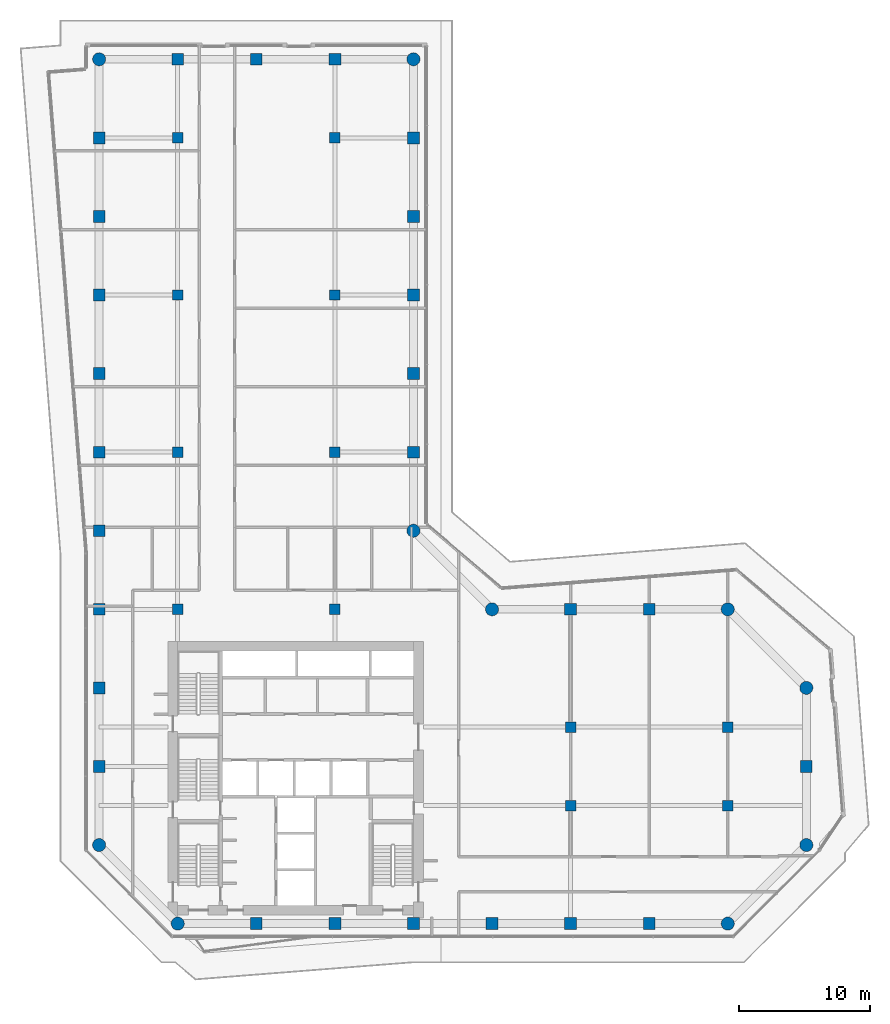
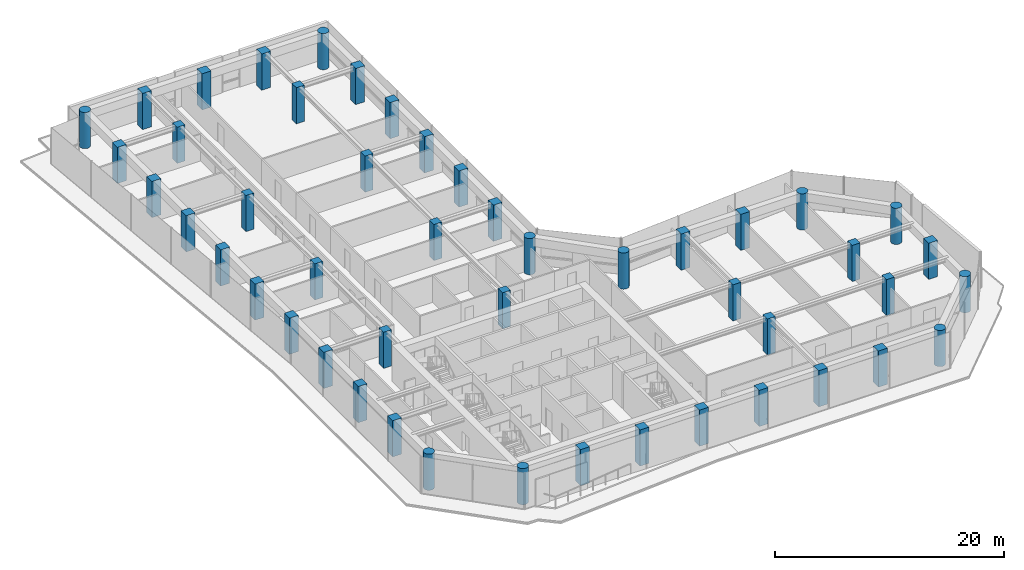
# One storey, part 1 of 25: 48 columns.
"""IFC4 building model written with IfcOpenShell, lengths in metres."""

import ifcopenshell
import ifcopenshell.guid

model = None  # the IFC model being written
_history = None  # IfcOwnerHistory: only IFC2X3 demands one
_inside = {}  # id of a spatial element -> (the spatial element, [elements in it])
_under = {}  # id of a project, library or spatial element -> (it, [spatial elements below it])
_declared = {}  # id of a project -> (the project, [libraries it declares])
_typed = {}  # id of a type object -> (the type object, [elements of that type])
_made_of = {}  # id of a material, layer set ... -> (it, [elements and type objects made of it])


def new_model(schema):
    """Start an empty IFC model of exactly this schema.

    Asked for "IFC4X3", IfcOpenShell would pick the latest addendum, in which some entities
    have other attributes; the version numbers below select the first issue.
    IFC2X3 requires an IfcOwnerHistory on every rooted entity: one is made here for all.
    """
    global model, _history
    if schema == "IFC4X3":
        model = ifcopenshell.file(schema_version=(4, 3, 0, 0))
    else:
        model = ifcopenshell.file(schema=schema)
    _inside.clear()
    _under.clear()
    _declared.clear()
    _typed.clear()
    _made_of.clear()
    _history = None
    if model.schema == "IFC2X3":
        org = make("IfcOrganization", Name="unknown")
        user = make(
            "IfcPersonAndOrganization",
            ThePerson=make("IfcPerson", FamilyName="unknown"),
            TheOrganization=org,
        )
        app = make(
            "IfcApplication",
            ApplicationDeveloper=org,
            Version="unknown",
            ApplicationFullName="unknown",
            ApplicationIdentifier="unknown",
        )
        _history = make(
            "IfcOwnerHistory",
            OwningUser=user,
            OwningApplication=app,
            ChangeAction="ADDED",
            CreationDate=0,
        )
    return model


def make(cls, **values):
    """One entity of the class cls with the attributes given. An attribute that is None is left unset."""
    return model.create_entity(
        cls, **{name: value for name, value in values.items() if value is not None}
    )


def rooted(cls, **values):
    """An entity with a GlobalId (a new one), such as an element, a storey or a relation."""
    return make(cls, GlobalId=ifcopenshell.guid.new(), OwnerHistory=_history, **values)


def si_unit(unit_type, name, prefix=None):
    """IfcSIUnit, for example si_unit("LENGTHUNIT", "METRE", prefix="MILLI")."""
    return make("IfcSIUnit", UnitType=unit_type, Prefix=prefix, Name=name)


def assignment(units):
    """IfcUnitAssignment: the units of a project."""
    return None if units is None else make("IfcUnitAssignment", Units=units)


def point(xyz):
    """IfcCartesianPoint."""
    return None if xyz is None else make("IfcCartesianPoint", Coordinates=xyz)


def direction(xyz):
    """IfcDirection."""
    return None if xyz is None else make("IfcDirection", DirectionRatios=xyz)


def frame(location, z_axis=None, x_axis=None):
    """IfcAxis2Placement3D, a coordinate frame: its origin and axes. An axis left out is left unset."""
    return make(
        "IfcAxis2Placement3D",
        Location=point(location),
        Axis=direction(z_axis),
        RefDirection=direction(x_axis),
    )


def frame_2d(location, x_axis=None):
    """IfcAxis2Placement2D, a coordinate frame in the plane: its origin and x axis."""
    return make(
        "IfcAxis2Placement2D", Location=point(location), RefDirection=direction(x_axis)
    )


def origin():
    """The frame at (0, 0, 0) with its axes left unset."""
    return frame((0.0, 0.0, 0.0))


def origin_2d():
    """The frame at (0, 0) in the plane with its x axis left unset."""
    return frame_2d((0.0, 0.0))


def place(relative_to, where):
    """IfcLocalPlacement: puts the frame where relative to a parent placement (None: the world)."""
    return make(
        "IfcLocalPlacement", PlacementRelTo=relative_to, RelativePlacement=where
    )


def context(
    kind, dimensions, precision=None, world=None, true_north=None, identifier=None
):
    """IfcGeometricRepresentationContext, for example the 3D "Model" context."""
    return make(
        "IfcGeometricRepresentationContext",
        ContextIdentifier=identifier,
        ContextType=kind,
        CoordinateSpaceDimension=dimensions,
        Precision=precision,
        WorldCoordinateSystem=world,
        TrueNorth=true_north,
    )


def subcontext(parent, identifier, kind, view, scale=None):
    """IfcGeometricRepresentationSubContext, for example "Body" below "Model"."""
    return make(
        "IfcGeometricRepresentationSubContext",
        ContextIdentifier=identifier,
        ContextType=kind,
        ParentContext=parent,
        TargetScale=scale,
        TargetView=view,
    )


def project(units=None, contexts=None):
    """IfcProject with its units and contexts."""
    return rooted(
        "IfcProject",
        Name="project",
        RepresentationContexts=contexts,
        UnitsInContext=assignment(units),
    )


def spatial(cls, under=None, at=None, **own):
    """A site, building, storey or space (cls), placed at a placement, below another one or the project."""
    s = rooted(cls, ObjectPlacement=at, **own)
    if under is not None:
        _under.setdefault(under.id(), (under, []))[1].append(s)
    return s


def profile(cls, at=None, kind="AREA", **sizes):
    """A parametric profile (cls). Its sizes go by their IFC names, for example OverallWidth=200.0."""
    return make(cls, ProfileType=kind, Position=at, **sizes)


def rectangle(**sizes):
    """IfcRectangleProfileDef."""
    return profile("IfcRectangleProfileDef", **sizes)


def circle(**sizes):
    """IfcCircleProfileDef."""
    return profile("IfcCircleProfileDef", **sizes)


def extrude(swept, where, along, depth):
    """IfcExtrudedAreaSolid: the profile swept, set in the frame where, extruded along a direction by depth."""
    return make(
        "IfcExtrudedAreaSolid",
        SweptArea=swept,
        Position=where,
        ExtrudedDirection=direction(along),
        Depth=depth,
    )


def shape(context_of_items, identifier, shape_type, items):
    """IfcShapeRepresentation: the items that make up one representation, for example the "Body"."""
    return make(
        "IfcShapeRepresentation",
        ContextOfItems=context_of_items,
        RepresentationIdentifier=identifier,
        RepresentationType=shape_type,
        Items=items,
    )


def material(Name=None, Category=None):
    """IfcMaterial."""
    return make("IfcMaterial", Name=Name, Category=Category)


def material_profile(
    of_material, cross_section, Name=None, Category=None, Priority=None
):
    """IfcMaterialProfile: a cross section and its material."""
    return make(
        "IfcMaterialProfile",
        Name=Name,
        Material=of_material,
        Profile=cross_section,
        Priority=Priority,
        Category=Category,
    )


def profile_set(profiles, Name=None, composite=None):
    """IfcMaterialProfileSet."""
    return make(
        "IfcMaterialProfileSet",
        Name=Name,
        MaterialProfiles=profiles,
        CompositeProfile=composite,
    )


def made_of(thing, what):
    """Note that an element or type object is made of a material, layer set ...; save() writes the relation."""
    if what is not None:
        _made_of.setdefault(what.id(), (what, []))[1].append(thing)
    return thing


def type_object(cls, material=None, **own):
    """A type object (cls), such as IfcWallType, which elements share."""
    return made_of(rooted(cls, **own), material)


def element(
    cls,
    number,
    at=None,
    inside=None,
    cuts=None,
    type_object=None,
    material=None,
    context=None,
    identifier="Body",
    shape_type=None,
    held_by="IfcProductDefinitionShape",
    body=None,
    shapes=None,
    **own,
):
    """One element of the class cls, such as IfcWall. Its Tag is "e" and its number.

    at: its placement. inside: the storey or other place that contains it. cuts: it is an
    opening in that element (IfcRelVoidsElement). A single representation is given by context,
    identifier, shape_type and body (its items); several are given by shapes. held_by: the class
    of the entity that holds the representations. save() writes the other relations.
    """
    e = rooted(cls, Tag="e%d" % number, ObjectPlacement=at, **own)
    if body is not None:
        shapes = [shape(context, identifier, shape_type, body)]
    if shapes is not None:
        e.Representation = make(held_by, Representations=shapes)
    if inside is not None:
        _inside.setdefault(inside.id(), (inside, []))[1].append(e)
    if cuts is not None:
        rooted(
            "IfcRelVoidsElement", RelatingBuildingElement=cuts, RelatedOpeningElement=e
        )
    if type_object is not None:
        _typed.setdefault(type_object.id(), (type_object, []))[1].append(e)
    return made_of(e, material)


def aggregate(whole, parts):
    """IfcRelAggregates: a whole, such as a stair, and the parts it consists of."""
    return rooted("IfcRelAggregates", RelatingObject=whole, RelatedObjects=parts)


def save(model, path):
    """Write the relations noted so far, then the file.

    IfcRelAggregates (storeys below a building ...), IfcRelContainedInSpatialStructure (elements
    in a storey), IfcRelDefinesByType, IfcRelAssociatesMaterial and IfcRelDeclares: one each for
    every whole, place, type object, material and project.
    """
    for whole, parts in _under.values():
        aggregate(whole, parts)
    for where, things in _inside.values():
        rooted(
            "IfcRelContainedInSpatialStructure",
            RelatedElements=things,
            RelatingStructure=where,
        )
    for kind, things in _typed.values():
        rooted("IfcRelDefinesByType", RelatedObjects=things, RelatingType=kind)
    for what, things in _made_of.values():
        rooted("IfcRelAssociatesMaterial", RelatedObjects=things, RelatingMaterial=what)
    for by, libraries in _declared.values():
        rooted("IfcRelDeclares", RelatingContext=by, RelatedDefinitions=libraries)
    model.write(path)


model = new_model("IFC4")

# Units and contexts
model_context = context("Model", 3, precision=1e-05, world=origin(), true_north=direction((0.0, 1.0)))
body_context = subcontext(model_context, "Body", "Model", "MODEL_VIEW")
ifc_project = project(units=[si_unit("LENGTHUNIT", "METRE"), si_unit("AREAUNIT", "SQUARE_METRE"), si_unit("VOLUMEUNIT", "CUBIC_METRE"), si_unit("PLANEANGLEUNIT", "RADIAN"), si_unit("MASSUNIT", "GRAM", prefix="KILO")], contexts=[model_context])

# Site, building, storey
site_placement = place(None, origin())
site = spatial("IfcSite", under=ifc_project, at=site_placement, CompositionType="ELEMENT")
building_placement = place(site_placement, origin())
building = spatial("IfcBuilding", under=site, at=building_placement, Name="Welwitschia Terrace Campus", CompositionType="ELEMENT")
storey_placement = place(building_placement, frame((0.0, 0.0, 92.0)))
storey = spatial("IfcBuildingStorey", under=building, at=storey_placement, Name="L20", CompositionType="ELEMENT", Elevation=92.0)

# Columns
ifc_material_1 = material(Name="Concrete C60/75", Category="concrete")
ifc_material_profile_1 = material_profile(ifc_material_1, circle(Radius=0.5, at=origin_2d()))
ifc_profile_set_1 = profile_set([ifc_material_profile_1], Name="Concrete C60/75")
column_type_1 = type_object("IfcColumnType", Name="Corner column 1000 dia", PredefinedType="COLUMN", material=ifc_profile_set_1)
for number, where, z_axis, x_axis, name in (
    (1, (0.0, 10.0, 0.0), (0.0, 0.0, 1.0), (1.0, 0.0, 0.0), "Column C15"),
    (2, (0.0, 70.0, 0.0), (0.0, 0.0, 1.0), (1.0, 0.0, 0.0), "Column C15"),
    (3, (6.0, 4.0, 0.0), (0.0, 0.0, 1.0), (1.0, 0.0, 0.0), "Column C15"),
    (4, (24.0, 34.0, 0.0), (0.0, 0.0, 1.0), (1.0, 0.0, 0.0), "Column C15"),
    (5, (24.0, 70.0, 0.0), (0.0, 0.0, 1.0), (1.0, 0.0, 0.0), "Column C15"),
    (6, (30.0, 28.0, 0.0), (0.0, 0.0, 1.0), (1.0, 0.0, 0.0), "Column C15"),
    (7, (48.0, 4.0, 0.0), (0.0, 0.0, 1.0), (1.0, 0.0, 0.0), "Column C15"),
    (8, (48.0, 28.0, 0.0), (0.0, 0.0, 1.0), (1.0, 0.0, 0.0), "Column C15"),
    (9, (54.0, 10.0, 0.0), (0.0, 0.0, 1.0), (1.0, 0.0, 0.0), "Column C15"),
    (10, (54.0, 22.0, 0.0), (0.0, 0.0, 1.0), (1.0, 0.0, 0.0), "Column C15"),
):
    element("IfcColumn", number, at=place(storey_placement, frame(where, z_axis=z_axis, x_axis=x_axis)), inside=storey, type_object=column_type_1, Name=name, PredefinedType="COLUMN", context=body_context, shape_type="SweptSolid", body=[
        extrude(circle(Radius=0.5, at=origin_2d()), origin(), (0.0, 0.0, 1.0), 3.85009765625),
    ])
ifc_material_2 = material(Name="Concrete C60/75", Category="concrete")
ifc_material_profile_2 = material_profile(ifc_material_2, rectangle(XDim=0.800048828125, YDim=0.800048828125, at=origin_2d()))
ifc_profile_set_2 = profile_set([ifc_material_profile_2], Name="Concrete C60/75")
column_type_2 = type_object("IfcColumnType", Name="Interior column 800x800", PredefinedType="COLUMN", material=ifc_profile_set_2)
for number, where, z_axis, x_axis, name in (
    (11, (6.0, 28.0, 0.0), (0.0, 0.0, 1.0), (1.0, 0.0, 0.0), "Column C16"),
    (12, (6.0, 40.0, 0.0), (0.0, 0.0, 1.0), (1.0, 0.0, 0.0), "Column C16"),
    (13, (6.0, 52.0, 0.0), (0.0, 0.0, 1.0), (1.0, 0.0, 0.0), "Column C16"),
    (14, (6.0, 64.0, 0.0), (0.0, 0.0, 1.0), (1.0, 0.0, 0.0), "Column C16"),
    (15, (18.0, 28.0, 0.0), (0.0, 0.0, 1.0), (1.0, 0.0, 0.0), "Column C16"),
    (16, (18.0, 40.0, 0.0), (0.0, 0.0, 1.0), (1.0, 0.0, 0.0), "Column C16"),
    (17, (18.0, 52.0, 0.0), (0.0, 0.0, 1.0), (1.0, 0.0, 0.0), "Column C16"),
    (18, (18.0, 64.0, 0.0), (0.0, 0.0, 1.0), (1.0, 0.0, 0.0), "Column C16"),
    (19, (36.0, 13.0, 0.0), (0.0, 0.0, 1.0), (1.0, 0.0, 0.0), "Column C16"),
    (20, (36.0, 19.0, 0.0), (0.0, 0.0, 1.0), (1.0, 0.0, 0.0), "Column C16"),
    (21, (48.0, 13.0, 0.0), (0.0, 0.0, 1.0), (1.0, 0.0, 0.0), "Column C16"),
    (22, (48.0, 19.0, 0.0), (0.0, 0.0, 1.0), (1.0, 0.0, 0.0), "Column C16"),
):
    element("IfcColumn", number, at=place(storey_placement, frame(where, z_axis=z_axis, x_axis=x_axis)), inside=storey, type_object=column_type_2, Name=name, PredefinedType="COLUMN", context=body_context, shape_type="SweptSolid", body=[
        extrude(rectangle(XDim=0.800048828125, YDim=0.800048828125, at=origin_2d()), origin(), (0.0, 0.0, 1.0), 3.85009765625),
    ])
ifc_material_3 = material(Name="Concrete C60/75", Category="concrete")
ifc_material_profile_3 = material_profile(ifc_material_3, rectangle(XDim=0.89990234375, YDim=0.89990234375, at=origin_2d()))
ifc_profile_set_3 = profile_set([ifc_material_profile_3], Name="Concrete C60/75")
column_type_3 = type_object("IfcColumnType", Name="Ring column 900x900", PredefinedType="COLUMN", material=ifc_profile_set_3)
for number, where, z_axis, x_axis, name in (
    (23, (0.0, 16.0, 0.0), (0.0, 0.0, 1.0), (1.0, 0.0, 0.0), "Column C14"),
    (24, (0.0, 22.0, 0.0), (0.0, 0.0, 1.0), (1.0, 0.0, 0.0), "Column C14"),
    (25, (0.0, 28.0, 0.0), (0.0, 0.0, 1.0), (1.0, 0.0, 0.0), "Column C14"),
    (26, (0.0, 34.0, 0.0), (0.0, 0.0, 1.0), (1.0, 0.0, 0.0), "Column C14"),
    (27, (0.0, 40.0, 0.0), (0.0, 0.0, 1.0), (1.0, 0.0, 0.0), "Column C14"),
    (28, (0.0, 46.0, 0.0), (0.0, 0.0, 1.0), (1.0, 0.0, 0.0), "Column C14"),
    (29, (0.0, 52.0, 0.0), (0.0, 0.0, 1.0), (1.0, 0.0, 0.0), "Column C14"),
    (30, (0.0, 58.0, 0.0), (0.0, 0.0, 1.0), (1.0, 0.0, 0.0), "Column C14"),
    (31, (0.0, 64.0, 0.0), (0.0, 0.0, 1.0), (1.0, 0.0, 0.0), "Column C14"),
    (32, (6.0, 70.0, 0.0), (0.0, 0.0, 1.0), (1.0, 0.0, 0.0), "Column C14"),
    (33, (12.0, 4.0, 0.0), (0.0, 0.0, 1.0), (1.0, 0.0, 0.0), "Column C14"),
    (34, (12.0, 70.0, 0.0), (0.0, 0.0, 1.0), (1.0, 0.0, 0.0), "Column C14"),
    (35, (18.0, 4.0, 0.0), (0.0, 0.0, 1.0), (1.0, 0.0, 0.0), "Column C14"),
    (36, (18.0, 70.0, 0.0), (0.0, 0.0, 1.0), (1.0, 0.0, 0.0), "Column C14"),
    (37, (24.0, 4.0, 0.0), (0.0, 0.0, 1.0), (1.0, 0.0, 0.0), "Column C14"),
    (38, (24.0, 40.0, 0.0), (0.0, 0.0, 1.0), (1.0, 0.0, 0.0), "Column C14"),
    (39, (24.0, 46.0, 0.0), (0.0, 0.0, 1.0), (1.0, 0.0, 0.0), "Column C14"),
    (40, (24.0, 52.0, 0.0), (0.0, 0.0, 1.0), (1.0, 0.0, 0.0), "Column C14"),
    (41, (24.0, 58.0, 0.0), (0.0, 0.0, 1.0), (1.0, 0.0, 0.0), "Column C14"),
    (42, (24.0, 64.0, 0.0), (0.0, 0.0, 1.0), (1.0, 0.0, 0.0), "Column C14"),
    (43, (30.0, 4.0, 0.0), (0.0, 0.0, 1.0), (1.0, 0.0, 0.0), "Column C14"),
    (44, (36.0, 4.0, 0.0), (0.0, 0.0, 1.0), (1.0, 0.0, 0.0), "Column C14"),
    (45, (36.0, 28.0, 0.0), (0.0, 0.0, 1.0), (1.0, 0.0, 0.0), "Column C14"),
    (46, (42.0, 4.0, 0.0), (0.0, 0.0, 1.0), (1.0, 0.0, 0.0), "Column C14"),
    (47, (42.0, 28.0, 0.0), (0.0, 0.0, 1.0), (1.0, 0.0, 0.0), "Column C14"),
    (48, (54.0, 16.0, 0.0), (0.0, 0.0, 1.0), (1.0, 0.0, 0.0), "Column C14"),
):
    element("IfcColumn", number, at=place(storey_placement, frame(where, z_axis=z_axis, x_axis=x_axis)), inside=storey, type_object=column_type_3, Name=name, PredefinedType="COLUMN", context=body_context, shape_type="SweptSolid", body=[
        extrude(rectangle(XDim=0.89990234375, YDim=0.89990234375, at=origin_2d()), origin(), (0.0, 0.0, 1.0), 3.85009765625),
    ])

save(model, "model.ifc")
